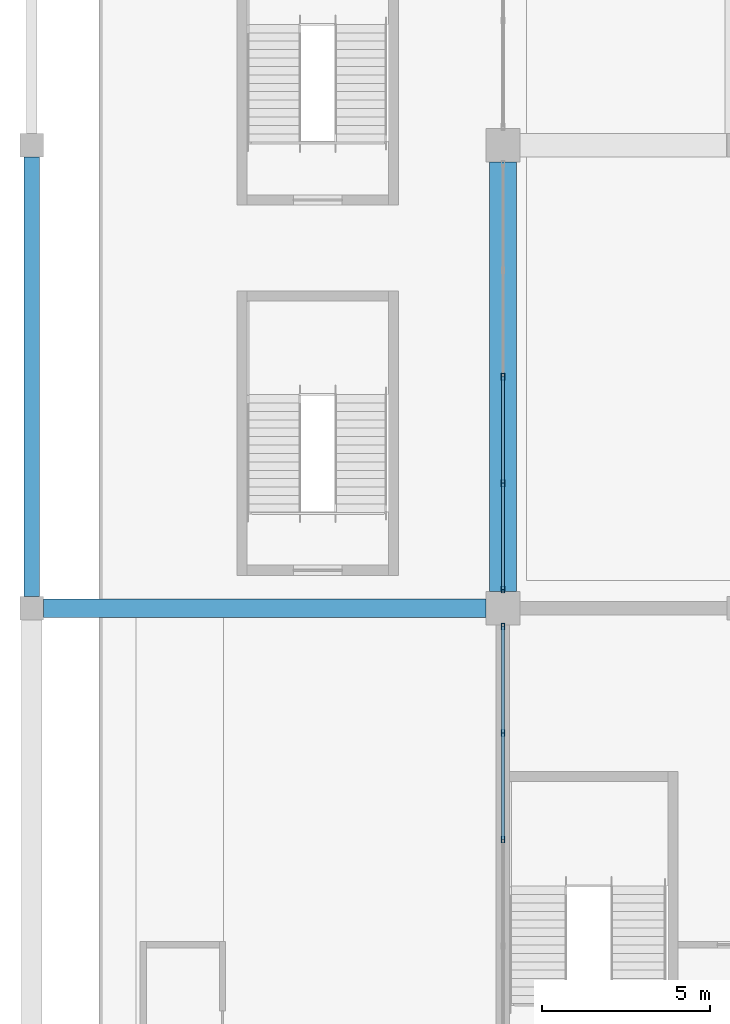
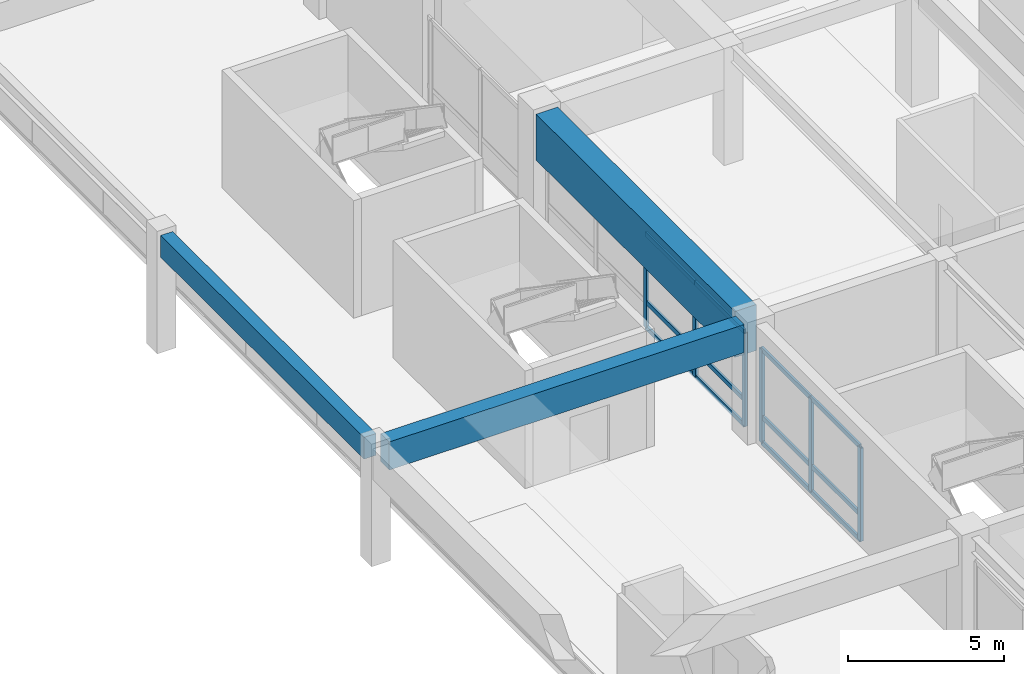
# One storey, part 29 of 94: 18 members, 3 beams, 2 elements without a shape of their own.
"""IFC4 building model written with IfcOpenShell, lengths in metres."""

from ifc_helpers import new_model, si_unit, direction, frame, origin, origin_2d, place, context, subcontext, project, spatial, rectangle, hollow_rectangle, extrude, material, material_profile, profile_set, type_object, element, aggregate, save


model = new_model("IFC4")

# Units and contexts
model_context = context("Model", 3, precision=1e-05, world=origin(), true_north=direction((0.0, 1.0)))
body_context = subcontext(model_context, "Body", "Model", "MODEL_VIEW")
ifc_project = project(units=[si_unit("LENGTHUNIT", "METRE"), si_unit("AREAUNIT", "SQUARE_METRE"), si_unit("VOLUMEUNIT", "CUBIC_METRE"), si_unit("PLANEANGLEUNIT", "RADIAN"), si_unit("MASSUNIT", "GRAM", prefix="KILO")], contexts=[model_context])

# Site, building, storey
site_placement = place(None, origin())
site = spatial("IfcSite", under=ifc_project, at=site_placement, CompositionType="ELEMENT")
building_placement = place(site_placement, origin())
building = spatial("IfcBuilding", under=site, at=building_placement, Name="Linyun Crest Stadium", CompositionType="ELEMENT")
storey_placement = place(building_placement, frame((0.0, 0.0, 16.199951171875)))
storey = spatial("IfcBuildingStorey", under=building, at=storey_placement, Name="L04", CompositionType="ELEMENT", Elevation=16.199951171875)

# Beams
ifc_material_1 = material(Name="Concrete C40", Category="concrete")
ifc_material_profile_1 = material_profile(ifc_material_1, rectangle(XDim=0.449951171875, YDim=0.85009765625, at=origin_2d()), Name="RCB 850x450")
ifc_profile_set_1 = profile_set([ifc_material_profile_1], Name="Concrete C40")
beam_type_1 = type_object("IfcBeamType", Name="B04", PredefinedType="BEAM", material=ifc_profile_set_1)
beam_1_placement = place(storey_placement, frame((-98.0, 16.22509765625, 4.175048828125), z_axis=(0.0, 1.0, 0.0), x_axis=(-1.0, 0.0, 0.0)))
element("IfcBeam", 1, at=beam_1_placement, inside=storey, type_object=beam_type_1, Name="Frame beam B04 L04 325", PredefinedType="BEAM", context=body_context, shape_type="SweptSolid", body=[
    extrude(rectangle(XDim=0.449951171875, YDim=0.85009765625, at=origin_2d()), origin(), (0.0, 0.0, 1.0), 13.0498046875),
])
ifc_material_2 = material(Name="Concrete C50", Category="concrete")
ifc_material_profile_2 = material_profile(ifc_material_2, rectangle(XDim=0.800048828125, YDim=1.800048828125, at=origin_2d()), Name="RCB 1800x800")
ifc_profile_set_2 = profile_set([ifc_material_profile_2], Name="Concrete C50")
beam_type_2 = type_object("IfcBeamType", Name="B14", PredefinedType="BEAM", material=ifc_profile_set_2)
beam_2_placement = place(storey_placement, frame((-84.0, 16.375, 3.699951171875), z_axis=(0.0, 1.0, 0.0), x_axis=(-1.0, 0.0, 0.0)))
element("IfcBeam", 2, at=beam_2_placement, inside=storey, type_object=beam_type_2, Name="Frame beam B14 L04 330", PredefinedType="BEAM", context=body_context, shape_type="SweptSolid", body=[
    extrude(rectangle(XDim=0.800048828125, YDim=1.800048828125, at=origin_2d()), origin(), (0.0, 0.0, 1.0), 12.75),
])

# Curtain wall, members
ifc_material_3 = material(Name="Verdigris steel and low-E curtain wall assembly", Category="steel")
curtain_wall_type = type_object("IfcCurtainWallType", Name="MCW06", PredefinedType="NOTDEFINED", material=ifc_material_3)
curtain_wall_1_placement = place(storey_placement, origin())
curtain_wall_1 = element("IfcCurtainWall", 3, at=curtain_wall_1_placement, inside=storey, type_object=curtain_wall_type, Name="CWR-102", PredefinedType="NOTDEFINED")
ifc_material_4 = material(Name="Verdigris painted steel Q355C mullion", Category="steel")
ifc_material_profile_3 = material_profile(ifc_material_4, hollow_rectangle(XDim=0.10009765625, YDim=0.199951171875, WallThickness=0.008056640625, at=origin_2d()), Name="RHS 200x100x8")
ifc_profile_set_3 = profile_set([ifc_material_profile_3], Name="Verdigris painted steel Q355C mullion")
member_type_1 = type_object("IfcMemberType", Name="ML03", PredefinedType="MULLION", material=ifc_profile_set_3)
member_1_placement = place(storey_placement, frame((-84.0, 9.0, 0.0), z_axis=(0.0, 0.0, 1.0), x_axis=(-1.0, 0.0, 0.0)))
member_1 = element("IfcMember", 4, at=member_1_placement, type_object=member_type_1, Name="CWR-102 mullion 3", PredefinedType="MULLION", context=body_context, shape_type="SweptSolid", body=[
    extrude(hollow_rectangle(XDim=0.10009765625, YDim=0.199951171875, WallThickness=0.008056640625, at=origin_2d()), origin(), (0.0, 0.0, 1.0), 3.650146484375),
])
member_2_placement = place(storey_placement, frame((-84.0, 12.162109375, 0.0), z_axis=(0.0, 0.0, 1.0), x_axis=(-1.0, 0.0, 0.0)))
member_2 = element("IfcMember", 5, at=member_2_placement, type_object=member_type_1, Name="CWR-102 mullion 4", PredefinedType="MULLION", context=body_context, shape_type="SweptSolid", body=[
    extrude(hollow_rectangle(XDim=0.10009765625, YDim=0.199951171875, WallThickness=0.008056640625, at=origin_2d()), origin(), (0.0, 0.0, 1.0), 3.650146484375),
])
member_3_placement = place(storey_placement, frame((-84.0, 15.324951171875, 0.0), z_axis=(0.0, 0.0, 1.0), x_axis=(-1.0, 0.0, 0.0)))
member_3 = element("IfcMember", 6, at=member_3_placement, type_object=member_type_1, Name="CWR-102 mullion 5", PredefinedType="MULLION", context=body_context, shape_type="SweptSolid", body=[
    extrude(hollow_rectangle(XDim=0.10009765625, YDim=0.199951171875, WallThickness=0.008056640625, at=origin_2d()), origin(), (0.0, 0.0, 1.0), 3.650146484375),
])

curtain_wall_2_placement = place(storey_placement, origin())
curtain_wall_2 = element("IfcCurtainWall", 7, at=curtain_wall_2_placement, inside=storey, type_object=curtain_wall_type, Name="CWR-111", PredefinedType="NOTDEFINED")
member_4_placement = place(storey_placement, frame((-84.0, 16.425048828125, 0.0), z_axis=(0.0, 0.0, 1.0), x_axis=(-1.0, 0.0, 0.0)))
member_4 = element("IfcMember", 8, at=member_4_placement, type_object=member_type_1, Name="CWR-111 mullion 1", PredefinedType="MULLION", context=body_context, shape_type="SweptSolid", body=[
    extrude(hollow_rectangle(XDim=0.10009765625, YDim=0.199951171875, WallThickness=0.008056640625, at=origin_2d()), origin(), (0.0, 0.0, 1.0), 3.650146484375),
])
member_5_placement = place(storey_placement, frame((-84.0, 19.587890625, 0.0), z_axis=(0.0, 0.0, 1.0), x_axis=(-1.0, 0.0, 0.0)))
member_5 = element("IfcMember", 9, at=member_5_placement, type_object=member_type_1, Name="CWR-111 mullion 2", PredefinedType="MULLION", context=body_context, shape_type="SweptSolid", body=[
    extrude(hollow_rectangle(XDim=0.10009765625, YDim=0.199951171875, WallThickness=0.008056640625, at=origin_2d()), origin(), (0.0, 0.0, 1.0), 3.650146484375),
])
member_6_placement = place(storey_placement, frame((-84.0, 22.75, 0.0), z_axis=(0.0, 0.0, 1.0), x_axis=(-1.0, 0.0, 0.0)))
member_6 = element("IfcMember", 10, at=member_6_placement, type_object=member_type_1, Name="CWR-111 mullion 3", PredefinedType="MULLION", context=body_context, shape_type="SweptSolid", body=[
    extrude(hollow_rectangle(XDim=0.10009765625, YDim=0.199951171875, WallThickness=0.008056640625, at=origin_2d()), origin(), (0.0, 0.0, 1.0), 3.650146484375),
])

# Beam
ifc_material_5 = material(Name="Concrete C50", Category="concrete")
ifc_material_profile_4 = material_profile(ifc_material_5, rectangle(XDim=0.550048828125, YDim=1.10009765625, at=origin_2d()), Name="RCB 1100x550")
ifc_profile_set_4 = profile_set([ifc_material_profile_4], Name="Concrete C50")
beam_type_3 = type_object("IfcBeamType", Name="TB01", PredefinedType="USERDEFINED", material=ifc_profile_set_4)
beam_3_placement = place(storey_placement, frame((-97.64990234375, 15.875, 4.050048828125), z_axis=(1.0, 0.0, 0.0), x_axis=(0.0, 1.0, 0.0)))
element("IfcBeam", 11, at=beam_3_placement, inside=storey, type_object=beam_type_3, Name="Frame beam TB01 L04 312", ObjectType="GIRDER", PredefinedType="USERDEFINED", context=body_context, shape_type="SweptSolid", body=[
    extrude(rectangle(XDim=0.550048828125, YDim=1.10009765625, at=origin_2d()), origin(), (0.0, 0.0, 1.0), 13.14990234375),
])

# Member
ifc_material_6 = material(Name="Verdigris painted steel Q355B transom", Category="steel")
ifc_material_profile_5 = material_profile(ifc_material_6, hollow_rectangle(XDim=0.080078125, YDim=0.179931640625, WallThickness=0.006103515625, at=origin_2d()), Name="RHS 180x80x6")
ifc_profile_set_5 = profile_set([ifc_material_profile_5], Name="Verdigris painted steel Q355B transom")
member_type_2 = type_object("IfcMemberType", Name="TR02", PredefinedType="USERDEFINED", material=ifc_profile_set_5)
member_7_placement = place(storey_placement, frame((-84.0, 9.0, 0.0), z_axis=(0.0, 1.0, 0.0), x_axis=(-1.0, 0.0, 0.0)))
member_7 = element("IfcMember", 12, at=member_7_placement, type_object=member_type_2, Name="CWR-102 transom 3.1", ObjectType="TRANSOM", PredefinedType="USERDEFINED", context=body_context, shape_type="SweptSolid", body=[
    extrude(hollow_rectangle(XDim=0.080078125, YDim=0.179931640625, WallThickness=0.006103515625, at=origin_2d()), origin(), (0.0, 0.0, 1.0), 3.162109375),
])

member_8_placement = place(storey_placement, frame((-84.0, 9.0, 1.0), z_axis=(0.0, 1.0, 0.0), x_axis=(-1.0, 0.0, 0.0)))
member_8 = element("IfcMember", 13, at=member_8_placement, type_object=member_type_2, Name="CWR-102 transom 3.2", ObjectType="TRANSOM", PredefinedType="USERDEFINED", context=body_context, shape_type="SweptSolid", body=[
    extrude(hollow_rectangle(XDim=0.080078125, YDim=0.179931640625, WallThickness=0.006103515625, at=origin_2d()), origin(), (0.0, 0.0, 1.0), 3.162109375),
])

member_9_placement = place(storey_placement, frame((-84.0, 9.0, 3.650146484375), z_axis=(0.0, 1.0, 0.0), x_axis=(-1.0, 0.0, 0.0)))
member_9 = element("IfcMember", 14, at=member_9_placement, type_object=member_type_2, Name="CWR-102 transom 3.3", ObjectType="TRANSOM", PredefinedType="USERDEFINED", context=body_context, shape_type="SweptSolid", body=[
    extrude(hollow_rectangle(XDim=0.080078125, YDim=0.179931640625, WallThickness=0.006103515625, at=origin_2d()), origin(), (0.0, 0.0, 1.0), 3.162109375),
])

member_10_placement = place(storey_placement, frame((-84.0, 12.162109375, 0.0), z_axis=(0.0, 1.0, 0.0), x_axis=(-1.0, 0.0, 0.0)))
member_10 = element("IfcMember", 15, at=member_10_placement, type_object=member_type_2, Name="CWR-102 transom 4.1", ObjectType="TRANSOM", PredefinedType="USERDEFINED", context=body_context, shape_type="SweptSolid", body=[
    extrude(hollow_rectangle(XDim=0.080078125, YDim=0.179931640625, WallThickness=0.006103515625, at=origin_2d()), origin(), (0.0, 0.0, 1.0), 3.162841796875),
])

member_11_placement = place(storey_placement, frame((-84.0, 12.162109375, 1.0), z_axis=(0.0, 1.0, 0.0), x_axis=(-1.0, 0.0, 0.0)))
member_11 = element("IfcMember", 16, at=member_11_placement, type_object=member_type_2, Name="CWR-102 transom 4.2", ObjectType="TRANSOM", PredefinedType="USERDEFINED", context=body_context, shape_type="SweptSolid", body=[
    extrude(hollow_rectangle(XDim=0.080078125, YDim=0.179931640625, WallThickness=0.006103515625, at=origin_2d()), origin(), (0.0, 0.0, 1.0), 3.162841796875),
])

member_12_placement = place(storey_placement, frame((-84.0, 12.162109375, 3.650146484375), z_axis=(0.0, 1.0, 0.0), x_axis=(-1.0, 0.0, 0.0)))
member_12 = element("IfcMember", 17, at=member_12_placement, type_object=member_type_2, Name="CWR-102 transom 4.3", ObjectType="TRANSOM", PredefinedType="USERDEFINED", context=body_context, shape_type="SweptSolid", body=[
    extrude(hollow_rectangle(XDim=0.080078125, YDim=0.179931640625, WallThickness=0.006103515625, at=origin_2d()), origin(), (0.0, 0.0, 1.0), 3.162841796875),
])

aggregate(curtain_wall_1, [member_1, member_2, member_3, member_7, member_8, member_9, member_10, member_11, member_12])

member_13_placement = place(storey_placement, frame((-84.0, 16.425048828125, 0.0), z_axis=(0.0, 1.0, 0.0), x_axis=(-1.0, 0.0, 0.0)))
member_13 = element("IfcMember", 18, at=member_13_placement, type_object=member_type_2, Name="CWR-111 transom 1.1", ObjectType="TRANSOM", PredefinedType="USERDEFINED", context=body_context, shape_type="SweptSolid", body=[
    extrude(hollow_rectangle(XDim=0.080078125, YDim=0.179931640625, WallThickness=0.006103515625, at=origin_2d()), origin(), (0.0, 0.0, 1.0), 3.162841796875),
])

member_14_placement = place(storey_placement, frame((-84.0, 16.425048828125, 1.0), z_axis=(0.0, 1.0, 0.0), x_axis=(-1.0, 0.0, 0.0)))
member_14 = element("IfcMember", 19, at=member_14_placement, type_object=member_type_2, Name="CWR-111 transom 1.2", ObjectType="TRANSOM", PredefinedType="USERDEFINED", context=body_context, shape_type="SweptSolid", body=[
    extrude(hollow_rectangle(XDim=0.080078125, YDim=0.179931640625, WallThickness=0.006103515625, at=origin_2d()), origin(), (0.0, 0.0, 1.0), 3.162841796875),
])

member_15_placement = place(storey_placement, frame((-84.0, 16.425048828125, 3.650146484375), z_axis=(0.0, 1.0, 0.0), x_axis=(-1.0, 0.0, 0.0)))
member_15 = element("IfcMember", 20, at=member_15_placement, type_object=member_type_2, Name="CWR-111 transom 1.3", ObjectType="TRANSOM", PredefinedType="USERDEFINED", context=body_context, shape_type="SweptSolid", body=[
    extrude(hollow_rectangle(XDim=0.080078125, YDim=0.179931640625, WallThickness=0.006103515625, at=origin_2d()), origin(), (0.0, 0.0, 1.0), 3.162841796875),
])

member_16_placement = place(storey_placement, frame((-84.0, 19.587890625, 0.0), z_axis=(0.0, 1.0, 0.0), x_axis=(-1.0, 0.0, 0.0)))
member_16 = element("IfcMember", 21, at=member_16_placement, type_object=member_type_2, Name="CWR-111 transom 2.1", ObjectType="TRANSOM", PredefinedType="USERDEFINED", context=body_context, shape_type="SweptSolid", body=[
    extrude(hollow_rectangle(XDim=0.080078125, YDim=0.179931640625, WallThickness=0.006103515625, at=origin_2d()), origin(), (0.0, 0.0, 1.0), 3.162109375),
])

member_17_placement = place(storey_placement, frame((-84.0, 19.587890625, 1.0), z_axis=(0.0, 1.0, 0.0), x_axis=(-1.0, 0.0, 0.0)))
member_17 = element("IfcMember", 22, at=member_17_placement, type_object=member_type_2, Name="CWR-111 transom 2.2", ObjectType="TRANSOM", PredefinedType="USERDEFINED", context=body_context, shape_type="SweptSolid", body=[
    extrude(hollow_rectangle(XDim=0.080078125, YDim=0.179931640625, WallThickness=0.006103515625, at=origin_2d()), origin(), (0.0, 0.0, 1.0), 3.162109375),
])

member_18_placement = place(storey_placement, frame((-84.0, 19.587890625, 3.650146484375), z_axis=(0.0, 1.0, 0.0), x_axis=(-1.0, 0.0, 0.0)))
member_18 = element("IfcMember", 23, at=member_18_placement, type_object=member_type_2, Name="CWR-111 transom 2.3", ObjectType="TRANSOM", PredefinedType="USERDEFINED", context=body_context, shape_type="SweptSolid", body=[
    extrude(hollow_rectangle(XDim=0.080078125, YDim=0.179931640625, WallThickness=0.006103515625, at=origin_2d()), origin(), (0.0, 0.0, 1.0), 3.162109375),
])

aggregate(curtain_wall_2, [member_4, member_5, member_6, member_13, member_14, member_15, member_16, member_17, member_18])

save(model, "model.ifc")
